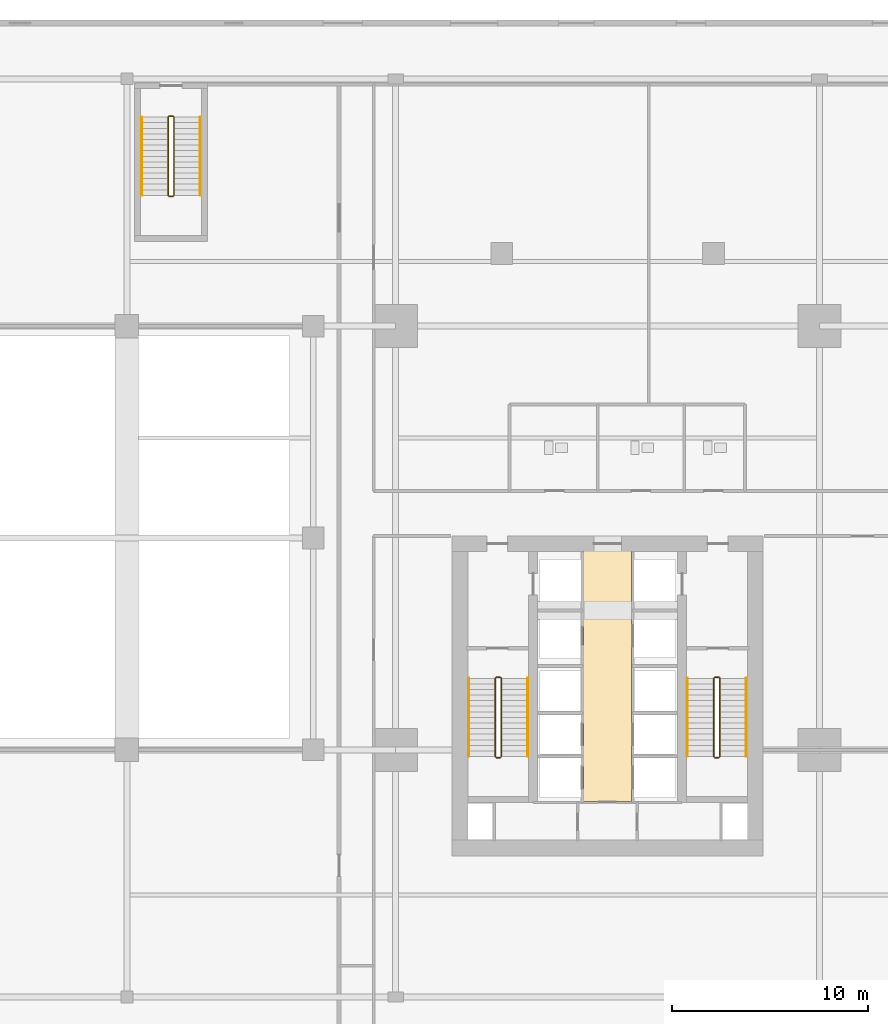
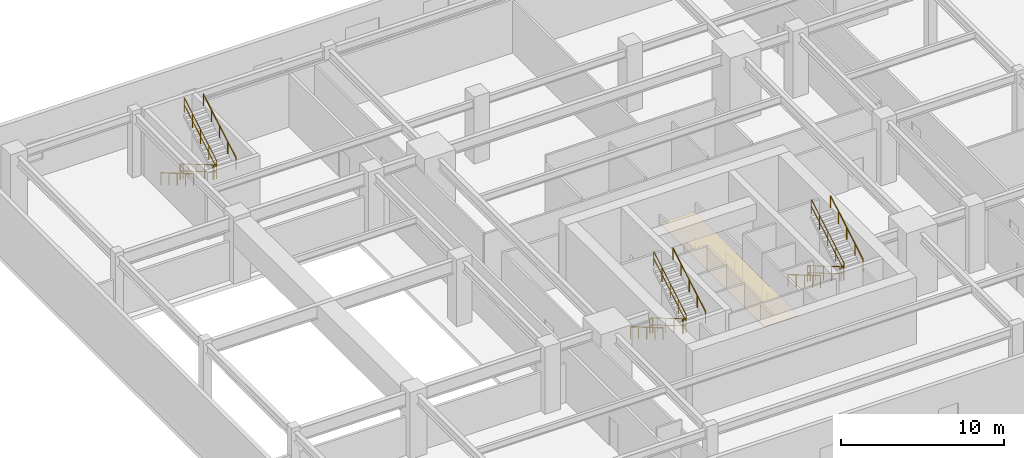
# One storey, part 7 of 9: 18 railings, 1 covering.
"""IFC4 building model written with IfcOpenShell, lengths in metres."""

from ifc_helpers import new_model, si_unit, direction, frame, origin, origin_2d, place, context, subcontext, project, spatial, polyline, circle, outline, extrude, material, layer, layer_set, type_object, element, save


model = new_model("IFC4")

# Units and contexts
model_context = context("Model", 3, precision=1e-05, world=origin(), true_north=direction((0.0, 1.0)))
body_context = subcontext(model_context, "Body", "Model", "MODEL_VIEW")
ifc_project = project(units=[si_unit("LENGTHUNIT", "METRE"), si_unit("AREAUNIT", "SQUARE_METRE"), si_unit("VOLUMEUNIT", "CUBIC_METRE"), si_unit("PLANEANGLEUNIT", "RADIAN"), si_unit("MASSUNIT", "GRAM", prefix="KILO")], contexts=[model_context])

# Site, building, storey
site_placement = place(None, origin())
site = spatial("IfcSite", under=ifc_project, at=site_placement, CompositionType="ELEMENT")
building_placement = place(site_placement, origin())
building = spatial("IfcBuilding", under=site, at=building_placement, Name="Krantzveldt Concourse Tower", CompositionType="ELEMENT")
storey_placement = place(building_placement, frame((0.0, 0.0, 10.39990234375)))
storey = spatial("IfcBuildingStorey", under=building, at=storey_placement, Name="L02", CompositionType="ELEMENT", Elevation=10.39990234375)

# Covering
ifc_material_1 = material(Name="Perforated acoustic mineral-fibre ceiling tile", Category="ceiling")
ifc_layer_1 = layer(ifc_material_1, 0.0400390625, Name="Perforated acoustic mineral-fibre ceiling tile", Category="ceiling")
ifc_layer_set_1 = layer_set([ifc_layer_1], Name="Perforated acoustic mineral-fibre ceiling tile (COV-CEIL-ACOUSTIC)")
covering_type = type_object("IfcCoveringType", Name="COV-CEIL-ACOUSTIC", PredefinedType="CEILING", material=ifc_layer_set_1)
covering_placement = place(storey_placement, frame((0.0, 0.0, 2.75)))
element("IfcCovering", 1, at=covering_placement, inside=storey, type_object=covering_type, Name="CLG-L02-LLB", PredefinedType="CEILING", context=body_context, shape_type="SweptSolid", body=[
    extrude(outline(polyline([(34.77490234375, 13.27490234375), (34.77490234375, 26.044921875), (37.22509765625, 26.044921875), (37.22509765625, 13.27490234375), (34.77490234375, 13.27490234375)])), origin(), (0.0, 0.0, 1.0), 0.0400390625),
])

# Railings
ifc_material_2 = material(Name="Stainless steel 316L", Category="steel")
ifc_layer_2 = layer(ifc_material_2, 0.06005859375, Name="Stainless steel 316L", Category="steel")
ifc_layer_set_2 = layer_set([ifc_layer_2], Name="Stainless steel 316L (RL-GUARD-1120)")
railing_type_1 = type_object("IfcRailingType", Name="RL-GUARD-1120", PredefinedType="GUARDRAIL", material=ifc_layer_set_2)
railing_1_placement = place(storey_placement, frame((30.280029296875, 19.550048828125, 0.166748046875)))
element("IfcRailing", 2, at=railing_1_placement, inside=storey, type_object=railing_type_1, Name="L02 ST-1 stair guard 1", PredefinedType="GUARDRAIL", context=body_context, shape_type="SweptSolid", body=[
    extrude(circle(Radius=0.02392578125, at=origin_2d()), frame((0.0, 0.0, 1.076171875), z_axis=(0.0, -0.863236243904, 0.504800145811), x_axis=(1.0, 0.0, 0.0)), (0.0, 0.0, 1.0), 4.6220703125),
    extrude(circle(Radius=0.02392578125, at=origin_2d()), frame((0.0, 0.0, 0.550048828125), z_axis=(0.0, -0.863236243904, 0.504800145811), x_axis=(1.0, 0.0, 0.0)), (0.0, 0.0, 1.0), 4.6220703125),
    extrude(circle(Radius=0.02099609375, at=origin_2d()), origin(), (0.0, 0.0, 1.0), 1.052001953125),
    extrude(circle(Radius=0.02099609375, at=origin_2d()), frame((0.0, -0.99755859375, 0.583251953125)), (0.0, 0.0, 1.0), 1.052001953125),
    extrude(circle(Radius=0.02099609375, at=origin_2d()), frame((0.0, -1.9951171875, 1.16650390625)), (0.0, 0.0, 1.0), 1.052001953125),
    extrude(circle(Radius=0.02099609375, at=origin_2d()), frame((0.0, -2.992431640625, 1.75)), (0.0, 0.0, 1.0), 1.052001953125),
    extrude(circle(Radius=0.02099609375, at=origin_2d()), frame((0.0, -3.989990234375, 2.333251953125)), (0.0, 0.0, 1.0), 1.052001953125),
])
railing_2_placement = place(storey_placement, frame((30.330078125, 15.510009765625, 2.5)))
element("IfcRailing", 3, at=railing_2_placement, inside=storey, type_object=railing_type_1, Name="L02 ST-1 stair guard 2", PredefinedType="GUARDRAIL", context=body_context, shape_type="SweptSolid", body=[
    extrude(circle(Radius=0.02392578125, at=origin_2d()), frame((0.0, 0.0, 1.076171875), z_axis=(1.0, 0.0, 0.0), x_axis=(0.0, 1.0, 0.0)), (0.0, 0.0, 1.0), 0.199951171875),
    extrude(circle(Radius=0.02392578125, at=origin_2d()), frame((0.0, 0.0, 0.550048828125), z_axis=(1.0, 0.0, 0.0), x_axis=(0.0, 1.0, 0.0)), (0.0, 0.0, 1.0), 0.199951171875),
    extrude(circle(Radius=0.02099609375, at=origin_2d()), origin(), (0.0, 0.0, 1.0), 1.052001953125),
    extrude(circle(Radius=0.02099609375, at=origin_2d()), frame((0.199951171875, 0.0, 0.0)), (0.0, 0.0, 1.0), 1.052001953125),
])
railing_3_placement = place(storey_placement, frame((30.580078125, 15.56005859375, 2.666748046875)))
element("IfcRailing", 4, at=railing_3_placement, inside=storey, type_object=railing_type_1, Name="L02 ST-1 stair guard 3", PredefinedType="GUARDRAIL", context=body_context, shape_type="SweptSolid", body=[
    extrude(circle(Radius=0.02392578125, at=origin_2d()), frame((0.0, 0.0, 1.076171875), z_axis=(0.0, 0.863236243904, 0.504800145811), x_axis=(-1.0, 0.0, 0.0)), (0.0, 0.0, 1.0), 4.6220703125),
    extrude(circle(Radius=0.02392578125, at=origin_2d()), frame((0.0, 0.0, 0.550048828125), z_axis=(0.0, 0.863236243904, 0.504800145811), x_axis=(-1.0, 0.0, 0.0)), (0.0, 0.0, 1.0), 4.6220703125),
    extrude(circle(Radius=0.02099609375, at=origin_2d()), origin(), (0.0, 0.0, 1.0), 1.052001953125),
    extrude(circle(Radius=0.02099609375, at=origin_2d()), frame((0.0, 0.99755859375, 0.583251953125)), (0.0, 0.0, 1.0), 1.052001953125),
    extrude(circle(Radius=0.02099609375, at=origin_2d()), frame((0.0, 1.9951171875, 1.16650390625)), (0.0, 0.0, 1.0), 1.052001953125),
    extrude(circle(Radius=0.02099609375, at=origin_2d()), frame((0.0, 2.992431640625, 1.75)), (0.0, 0.0, 1.0), 1.052001953125),
    extrude(circle(Radius=0.02099609375, at=origin_2d()), frame((0.0, 3.989990234375, 2.333251953125)), (0.0, 0.0, 1.0), 1.052001953125),
])
railing_4_placement = place(storey_placement, frame((30.330078125, 19.60009765625, 0.0)))
element("IfcRailing", 5, at=railing_4_placement, inside=storey, type_object=railing_type_1, Name="L02 ST-1 stair guard 4", PredefinedType="GUARDRAIL", context=body_context, shape_type="SweptSolid", body=[
    extrude(circle(Radius=0.02392578125, at=origin_2d()), frame((0.0, 0.0, 1.076171875), z_axis=(1.0, 0.0, 0.0), x_axis=(0.0, 1.0, 0.0)), (0.0, 0.0, 1.0), 0.199951171875),
    extrude(circle(Radius=0.02392578125, at=origin_2d()), frame((0.0, 0.0, 0.550048828125), z_axis=(1.0, 0.0, 0.0), x_axis=(0.0, 1.0, 0.0)), (0.0, 0.0, 1.0), 0.199951171875),
    extrude(circle(Radius=0.02099609375, at=origin_2d()), origin(), (0.0, 0.0, 1.0), 1.052001953125),
    extrude(circle(Radius=0.02099609375, at=origin_2d()), frame((0.199951171875, 0.0, 0.0)), (0.0, 0.0, 1.0), 1.052001953125),
])
railing_5_placement = place(storey_placement, frame((41.419921875, 19.550048828125, 0.166748046875)))
element("IfcRailing", 6, at=railing_5_placement, inside=storey, type_object=railing_type_1, Name="L02 ST-2 stair guard 1", PredefinedType="GUARDRAIL", context=body_context, shape_type="SweptSolid", body=[
    extrude(circle(Radius=0.02392578125, at=origin_2d()), frame((0.0, 0.0, 1.076171875), z_axis=(0.0, -0.863236243904, 0.504800145811), x_axis=(1.0, 0.0, 0.0)), (0.0, 0.0, 1.0), 4.6220703125),
    extrude(circle(Radius=0.02392578125, at=origin_2d()), frame((0.0, 0.0, 0.550048828125), z_axis=(0.0, -0.863236243904, 0.504800145811), x_axis=(1.0, 0.0, 0.0)), (0.0, 0.0, 1.0), 4.6220703125),
    extrude(circle(Radius=0.02099609375, at=origin_2d()), origin(), (0.0, 0.0, 1.0), 1.052001953125),
    extrude(circle(Radius=0.02099609375, at=origin_2d()), frame((0.0, -0.99755859375, 0.583251953125)), (0.0, 0.0, 1.0), 1.052001953125),
    extrude(circle(Radius=0.02099609375, at=origin_2d()), frame((0.0, -1.9951171875, 1.16650390625)), (0.0, 0.0, 1.0), 1.052001953125),
    extrude(circle(Radius=0.02099609375, at=origin_2d()), frame((0.0, -2.992431640625, 1.75)), (0.0, 0.0, 1.0), 1.052001953125),
    extrude(circle(Radius=0.02099609375, at=origin_2d()), frame((0.0, -3.989990234375, 2.333251953125)), (0.0, 0.0, 1.0), 1.052001953125),
])
railing_6_placement = place(storey_placement, frame((41.469970703125, 15.510009765625, 2.5)))
element("IfcRailing", 7, at=railing_6_placement, inside=storey, type_object=railing_type_1, Name="L02 ST-2 stair guard 2", PredefinedType="GUARDRAIL", context=body_context, shape_type="SweptSolid", body=[
    extrude(circle(Radius=0.02392578125, at=origin_2d()), frame((0.0, 0.0, 1.076171875), z_axis=(1.0, 0.0, 0.0), x_axis=(0.0, 1.0, 0.0)), (0.0, 0.0, 1.0), 0.199951171875),
    extrude(circle(Radius=0.02392578125, at=origin_2d()), frame((0.0, 0.0, 0.550048828125), z_axis=(1.0, 0.0, 0.0), x_axis=(0.0, 1.0, 0.0)), (0.0, 0.0, 1.0), 0.199951171875),
    extrude(circle(Radius=0.02099609375, at=origin_2d()), origin(), (0.0, 0.0, 1.0), 1.052001953125),
    extrude(circle(Radius=0.02099609375, at=origin_2d()), frame((0.199951171875, 0.0, 0.0)), (0.0, 0.0, 1.0), 1.052001953125),
])
railing_7_placement = place(storey_placement, frame((41.719970703125, 15.56005859375, 2.666748046875)))
element("IfcRailing", 8, at=railing_7_placement, inside=storey, type_object=railing_type_1, Name="L02 ST-2 stair guard 3", PredefinedType="GUARDRAIL", context=body_context, shape_type="SweptSolid", body=[
    extrude(circle(Radius=0.02392578125, at=origin_2d()), frame((0.0, 0.0, 1.076171875), z_axis=(0.0, 0.863236243904, 0.504800145811), x_axis=(-1.0, 0.0, 0.0)), (0.0, 0.0, 1.0), 4.6220703125),
    extrude(circle(Radius=0.02392578125, at=origin_2d()), frame((0.0, 0.0, 0.550048828125), z_axis=(0.0, 0.863236243904, 0.504800145811), x_axis=(-1.0, 0.0, 0.0)), (0.0, 0.0, 1.0), 4.6220703125),
    extrude(circle(Radius=0.02099609375, at=origin_2d()), origin(), (0.0, 0.0, 1.0), 1.052001953125),
    extrude(circle(Radius=0.02099609375, at=origin_2d()), frame((0.0, 0.99755859375, 0.583251953125)), (0.0, 0.0, 1.0), 1.052001953125),
    extrude(circle(Radius=0.02099609375, at=origin_2d()), frame((0.0, 1.9951171875, 1.16650390625)), (0.0, 0.0, 1.0), 1.052001953125),
    extrude(circle(Radius=0.02099609375, at=origin_2d()), frame((0.0, 2.992431640625, 1.75)), (0.0, 0.0, 1.0), 1.052001953125),
    extrude(circle(Radius=0.02099609375, at=origin_2d()), frame((0.0, 3.989990234375, 2.333251953125)), (0.0, 0.0, 1.0), 1.052001953125),
])
railing_8_placement = place(storey_placement, frame((41.469970703125, 19.60009765625, 0.0)))
element("IfcRailing", 9, at=railing_8_placement, inside=storey, type_object=railing_type_1, Name="L02 ST-2 stair guard 4", PredefinedType="GUARDRAIL", context=body_context, shape_type="SweptSolid", body=[
    extrude(circle(Radius=0.02392578125, at=origin_2d()), frame((0.0, 0.0, 1.076171875), z_axis=(1.0, 0.0, 0.0), x_axis=(0.0, 1.0, 0.0)), (0.0, 0.0, 1.0), 0.199951171875),
    extrude(circle(Radius=0.02392578125, at=origin_2d()), frame((0.0, 0.0, 0.550048828125), z_axis=(1.0, 0.0, 0.0), x_axis=(0.0, 1.0, 0.0)), (0.0, 0.0, 1.0), 0.199951171875),
    extrude(circle(Radius=0.02099609375, at=origin_2d()), origin(), (0.0, 0.0, 1.0), 1.052001953125),
    extrude(circle(Radius=0.02099609375, at=origin_2d()), frame((0.199951171875, 0.0, 0.0)), (0.0, 0.0, 1.0), 1.052001953125),
])
railing_9_placement = place(storey_placement, frame((13.60009765625, 48.14990234375, 0.166748046875)))
element("IfcRailing", 10, at=railing_9_placement, inside=storey, type_object=railing_type_1, Name="L02 ST-3 stair guard 1", PredefinedType="GUARDRAIL", context=body_context, shape_type="SweptSolid", body=[
    extrude(circle(Radius=0.02392578125, at=origin_2d()), frame((0.0, 0.0, 1.076171875), z_axis=(0.0, -0.863236243904, 0.504800145811), x_axis=(1.0, 0.0, 0.0)), (0.0, 0.0, 1.0), 4.6220703125),
    extrude(circle(Radius=0.02392578125, at=origin_2d()), frame((0.0, 0.0, 0.550048828125), z_axis=(0.0, -0.863236243904, 0.504800145811), x_axis=(1.0, 0.0, 0.0)), (0.0, 0.0, 1.0), 4.6220703125),
    extrude(circle(Radius=0.02099609375, at=origin_2d()), origin(), (0.0, 0.0, 1.0), 1.052001953125),
    extrude(circle(Radius=0.02099609375, at=origin_2d()), frame((0.0, -0.99755859375, 0.583251953125)), (0.0, 0.0, 1.0), 1.052001953125),
    extrude(circle(Radius=0.02099609375, at=origin_2d()), frame((0.0, -1.9951171875, 1.16650390625)), (0.0, 0.0, 1.0), 1.052001953125),
    extrude(circle(Radius=0.02099609375, at=origin_2d()), frame((0.0, -2.992431640625, 1.75)), (0.0, 0.0, 1.0), 1.052001953125),
    extrude(circle(Radius=0.02099609375, at=origin_2d()), frame((0.0, -3.989990234375, 2.333251953125)), (0.0, 0.0, 1.0), 1.052001953125),
])
railing_10_placement = place(storey_placement, frame((13.64990234375, 44.110107421875, 2.5)))
element("IfcRailing", 11, at=railing_10_placement, inside=storey, type_object=railing_type_1, Name="L02 ST-3 stair guard 2", PredefinedType="GUARDRAIL", context=body_context, shape_type="SweptSolid", body=[
    extrude(circle(Radius=0.02392578125, at=origin_2d()), frame((0.0, 0.0, 1.076171875), z_axis=(1.0, 0.0, 0.0), x_axis=(0.0, 1.0, 0.0)), (0.0, 0.0, 1.0), 0.2001953125),
    extrude(circle(Radius=0.02392578125, at=origin_2d()), frame((0.0, 0.0, 0.550048828125), z_axis=(1.0, 0.0, 0.0), x_axis=(0.0, 1.0, 0.0)), (0.0, 0.0, 1.0), 0.2001953125),
    extrude(circle(Radius=0.02099609375, at=origin_2d()), origin(), (0.0, 0.0, 1.0), 1.052001953125),
    extrude(circle(Radius=0.02099609375, at=origin_2d()), frame((0.2001953125, 0.0, 0.0)), (0.0, 0.0, 1.0), 1.052001953125),
])
railing_11_placement = place(storey_placement, frame((13.89990234375, 44.159912109375, 2.666748046875)))
element("IfcRailing", 12, at=railing_11_placement, inside=storey, type_object=railing_type_1, Name="L02 ST-3 stair guard 3", PredefinedType="GUARDRAIL", context=body_context, shape_type="SweptSolid", body=[
    extrude(circle(Radius=0.02392578125, at=origin_2d()), frame((0.0, 0.0, 1.076171875), z_axis=(0.0, 0.863236243904, 0.504800145811), x_axis=(-1.0, 0.0, 0.0)), (0.0, 0.0, 1.0), 4.6220703125),
    extrude(circle(Radius=0.02392578125, at=origin_2d()), frame((0.0, 0.0, 0.550048828125), z_axis=(0.0, 0.863236243904, 0.504800145811), x_axis=(-1.0, 0.0, 0.0)), (0.0, 0.0, 1.0), 4.6220703125),
    extrude(circle(Radius=0.02099609375, at=origin_2d()), origin(), (0.0, 0.0, 1.0), 1.052001953125),
    extrude(circle(Radius=0.02099609375, at=origin_2d()), frame((0.0, 0.99755859375, 0.583251953125)), (0.0, 0.0, 1.0), 1.052001953125),
    extrude(circle(Radius=0.02099609375, at=origin_2d()), frame((0.0, 1.9951171875, 1.16650390625)), (0.0, 0.0, 1.0), 1.052001953125),
    extrude(circle(Radius=0.02099609375, at=origin_2d()), frame((0.0, 2.992431640625, 1.75)), (0.0, 0.0, 1.0), 1.052001953125),
    extrude(circle(Radius=0.02099609375, at=origin_2d()), frame((0.0, 3.989990234375, 2.333251953125)), (0.0, 0.0, 1.0), 1.052001953125),
])
railing_12_placement = place(storey_placement, frame((13.64990234375, 48.199951171875, 0.0)))
element("IfcRailing", 13, at=railing_12_placement, inside=storey, type_object=railing_type_1, Name="L02 ST-3 stair guard 4", PredefinedType="GUARDRAIL", context=body_context, shape_type="SweptSolid", body=[
    extrude(circle(Radius=0.02392578125, at=origin_2d()), frame((0.0, 0.0, 1.076171875), z_axis=(1.0, 0.0, 0.0), x_axis=(0.0, 1.0, 0.0)), (0.0, 0.0, 1.0), 0.2001953125),
    extrude(circle(Radius=0.02392578125, at=origin_2d()), frame((0.0, 0.0, 0.550048828125), z_axis=(1.0, 0.0, 0.0), x_axis=(0.0, 1.0, 0.0)), (0.0, 0.0, 1.0), 0.2001953125),
    extrude(circle(Radius=0.02099609375, at=origin_2d()), origin(), (0.0, 0.0, 1.0), 1.052001953125),
    extrude(circle(Radius=0.02099609375, at=origin_2d()), frame((0.2001953125, 0.0, 0.0)), (0.0, 0.0, 1.0), 1.052001953125),
])
ifc_layer_3 = layer(ifc_material_2, 0.050048828125, Name="Stainless steel 316L", Category="steel")
ifc_layer_set_3 = layer_set([ifc_layer_3], Name="Stainless steel 316L (RL-HANDRAIL-920)")
railing_type_2 = type_object("IfcRailingType", Name="RL-HANDRAIL-920", PredefinedType="HANDRAIL", material=ifc_layer_set_3)
railing_13_placement = place(storey_placement, frame((28.929931640625, 19.550048828125, 0.166748046875)))
element("IfcRailing", 14, at=railing_13_placement, inside=storey, type_object=railing_type_2, Name="L02 ST-1 stair handrail 1", PredefinedType="HANDRAIL", context=body_context, shape_type="SweptSolid", body=[
    extrude(circle(Radius=0.02392578125, at=origin_2d()), frame((0.0, 0.0, 0.8759765625), z_axis=(0.0, -0.863236243904, 0.504800145811), x_axis=(1.0, 0.0, 0.0)), (0.0, 0.0, 1.0), 4.6220703125),
    extrude(circle(Radius=0.02099609375, at=origin_2d()), origin(), (0.0, 0.0, 1.0), 0.851806640625),
    extrude(circle(Radius=0.02099609375, at=origin_2d()), frame((0.0, -0.99755859375, 0.583251953125)), (0.0, 0.0, 1.0), 0.851806640625),
    extrude(circle(Radius=0.02099609375, at=origin_2d()), frame((0.0, -1.9951171875, 1.16650390625)), (0.0, 0.0, 1.0), 0.851806640625),
    extrude(circle(Radius=0.02099609375, at=origin_2d()), frame((0.0, -2.992431640625, 1.75)), (0.0, 0.0, 1.0), 0.851806640625),
    extrude(circle(Radius=0.02099609375, at=origin_2d()), frame((0.0, -3.989990234375, 2.333251953125)), (0.0, 0.0, 1.0), 0.851806640625),
])
railing_14_placement = place(storey_placement, frame((31.929931640625, 15.56005859375, 2.666748046875)))
element("IfcRailing", 15, at=railing_14_placement, inside=storey, type_object=railing_type_2, Name="L02 ST-1 stair handrail 2", PredefinedType="HANDRAIL", context=body_context, shape_type="SweptSolid", body=[
    extrude(circle(Radius=0.02392578125, at=origin_2d()), frame((0.0, 0.0, 0.8759765625), z_axis=(0.0, 0.863236243904, 0.504800145811), x_axis=(-1.0, 0.0, 0.0)), (0.0, 0.0, 1.0), 4.6220703125),
    extrude(circle(Radius=0.02099609375, at=origin_2d()), origin(), (0.0, 0.0, 1.0), 0.851806640625),
    extrude(circle(Radius=0.02099609375, at=origin_2d()), frame((0.0, 0.99755859375, 0.583251953125)), (0.0, 0.0, 1.0), 0.851806640625),
    extrude(circle(Radius=0.02099609375, at=origin_2d()), frame((0.0, 1.9951171875, 1.16650390625)), (0.0, 0.0, 1.0), 0.851806640625),
    extrude(circle(Radius=0.02099609375, at=origin_2d()), frame((0.0, 2.992431640625, 1.75)), (0.0, 0.0, 1.0), 0.851806640625),
    extrude(circle(Radius=0.02099609375, at=origin_2d()), frame((0.0, 3.989990234375, 2.333251953125)), (0.0, 0.0, 1.0), 0.851806640625),
])
railing_15_placement = place(storey_placement, frame((40.070068359375, 19.550048828125, 0.166748046875)))
element("IfcRailing", 16, at=railing_15_placement, inside=storey, type_object=railing_type_2, Name="L02 ST-2 stair handrail 1", PredefinedType="HANDRAIL", context=body_context, shape_type="SweptSolid", body=[
    extrude(circle(Radius=0.02392578125, at=origin_2d()), frame((0.0, 0.0, 0.8759765625), z_axis=(0.0, -0.863236243904, 0.504800145811), x_axis=(1.0, 0.0, 0.0)), (0.0, 0.0, 1.0), 4.6220703125),
    extrude(circle(Radius=0.02099609375, at=origin_2d()), origin(), (0.0, 0.0, 1.0), 0.851806640625),
    extrude(circle(Radius=0.02099609375, at=origin_2d()), frame((0.0, -0.99755859375, 0.583251953125)), (0.0, 0.0, 1.0), 0.851806640625),
    extrude(circle(Radius=0.02099609375, at=origin_2d()), frame((0.0, -1.9951171875, 1.16650390625)), (0.0, 0.0, 1.0), 0.851806640625),
    extrude(circle(Radius=0.02099609375, at=origin_2d()), frame((0.0, -2.992431640625, 1.75)), (0.0, 0.0, 1.0), 0.851806640625),
    extrude(circle(Radius=0.02099609375, at=origin_2d()), frame((0.0, -3.989990234375, 2.333251953125)), (0.0, 0.0, 1.0), 0.851806640625),
])
railing_16_placement = place(storey_placement, frame((43.070068359375, 15.56005859375, 2.666748046875)))
element("IfcRailing", 17, at=railing_16_placement, inside=storey, type_object=railing_type_2, Name="L02 ST-2 stair handrail 2", PredefinedType="HANDRAIL", context=body_context, shape_type="SweptSolid", body=[
    extrude(circle(Radius=0.02392578125, at=origin_2d()), frame((0.0, 0.0, 0.8759765625), z_axis=(0.0, 0.863236243904, 0.504800145811), x_axis=(-1.0, 0.0, 0.0)), (0.0, 0.0, 1.0), 4.6220703125),
    extrude(circle(Radius=0.02099609375, at=origin_2d()), origin(), (0.0, 0.0, 1.0), 0.851806640625),
    extrude(circle(Radius=0.02099609375, at=origin_2d()), frame((0.0, 0.99755859375, 0.583251953125)), (0.0, 0.0, 1.0), 0.851806640625),
    extrude(circle(Radius=0.02099609375, at=origin_2d()), frame((0.0, 1.9951171875, 1.16650390625)), (0.0, 0.0, 1.0), 0.851806640625),
    extrude(circle(Radius=0.02099609375, at=origin_2d()), frame((0.0, 2.992431640625, 1.75)), (0.0, 0.0, 1.0), 0.851806640625),
    extrude(circle(Radius=0.02099609375, at=origin_2d()), frame((0.0, 3.989990234375, 2.333251953125)), (0.0, 0.0, 1.0), 0.851806640625),
])
railing_17_placement = place(storey_placement, frame((12.25, 48.14990234375, 0.166748046875)))
element("IfcRailing", 18, at=railing_17_placement, inside=storey, type_object=railing_type_2, Name="L02 ST-3 stair handrail 1", PredefinedType="HANDRAIL", context=body_context, shape_type="SweptSolid", body=[
    extrude(circle(Radius=0.02392578125, at=origin_2d()), frame((0.0, 0.0, 0.8759765625), z_axis=(0.0, -0.863236243904, 0.504800145811), x_axis=(1.0, 0.0, 0.0)), (0.0, 0.0, 1.0), 4.6220703125),
    extrude(circle(Radius=0.02099609375, at=origin_2d()), origin(), (0.0, 0.0, 1.0), 0.851806640625),
    extrude(circle(Radius=0.02099609375, at=origin_2d()), frame((0.0, -0.99755859375, 0.583251953125)), (0.0, 0.0, 1.0), 0.851806640625),
    extrude(circle(Radius=0.02099609375, at=origin_2d()), frame((0.0, -1.9951171875, 1.16650390625)), (0.0, 0.0, 1.0), 0.851806640625),
    extrude(circle(Radius=0.02099609375, at=origin_2d()), frame((0.0, -2.992431640625, 1.75)), (0.0, 0.0, 1.0), 0.851806640625),
    extrude(circle(Radius=0.02099609375, at=origin_2d()), frame((0.0, -3.989990234375, 2.333251953125)), (0.0, 0.0, 1.0), 0.851806640625),
])
railing_18_placement = place(storey_placement, frame((15.25, 44.159912109375, 2.666748046875)))
element("IfcRailing", 19, at=railing_18_placement, inside=storey, type_object=railing_type_2, Name="L02 ST-3 stair handrail 2", PredefinedType="HANDRAIL", context=body_context, shape_type="SweptSolid", body=[
    extrude(circle(Radius=0.02392578125, at=origin_2d()), frame((0.0, 0.0, 0.8759765625), z_axis=(0.0, 0.863236243904, 0.504800145811), x_axis=(-1.0, 0.0, 0.0)), (0.0, 0.0, 1.0), 4.6220703125),
    extrude(circle(Radius=0.02099609375, at=origin_2d()), origin(), (0.0, 0.0, 1.0), 0.851806640625),
    extrude(circle(Radius=0.02099609375, at=origin_2d()), frame((0.0, 0.99755859375, 0.583251953125)), (0.0, 0.0, 1.0), 0.851806640625),
    extrude(circle(Radius=0.02099609375, at=origin_2d()), frame((0.0, 1.9951171875, 1.16650390625)), (0.0, 0.0, 1.0), 0.851806640625),
    extrude(circle(Radius=0.02099609375, at=origin_2d()), frame((0.0, 2.992431640625, 1.75)), (0.0, 0.0, 1.0), 0.851806640625),
    extrude(circle(Radius=0.02099609375, at=origin_2d()), frame((0.0, 3.989990234375, 2.333251953125)), (0.0, 0.0, 1.0), 0.851806640625),
])

save(model, "model.ifc")
